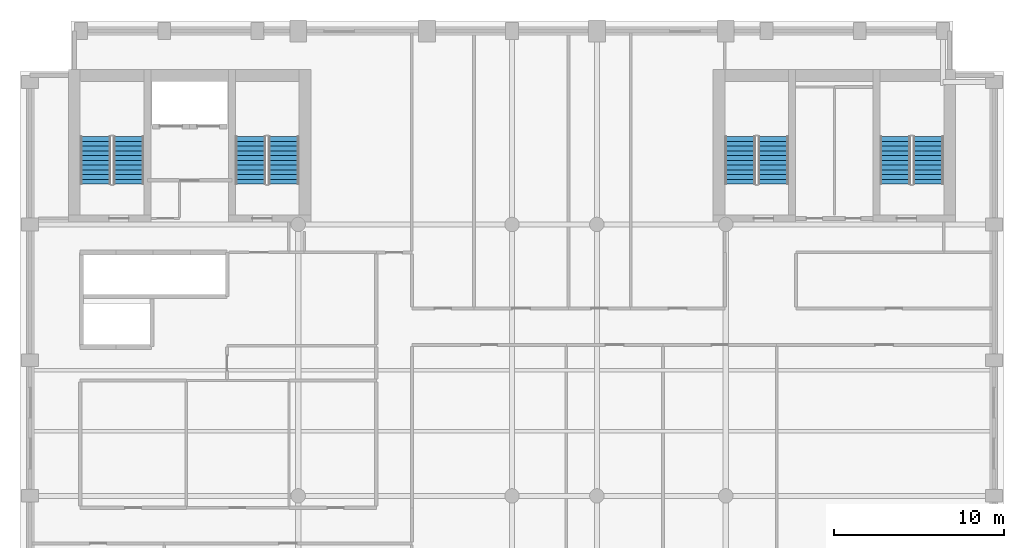
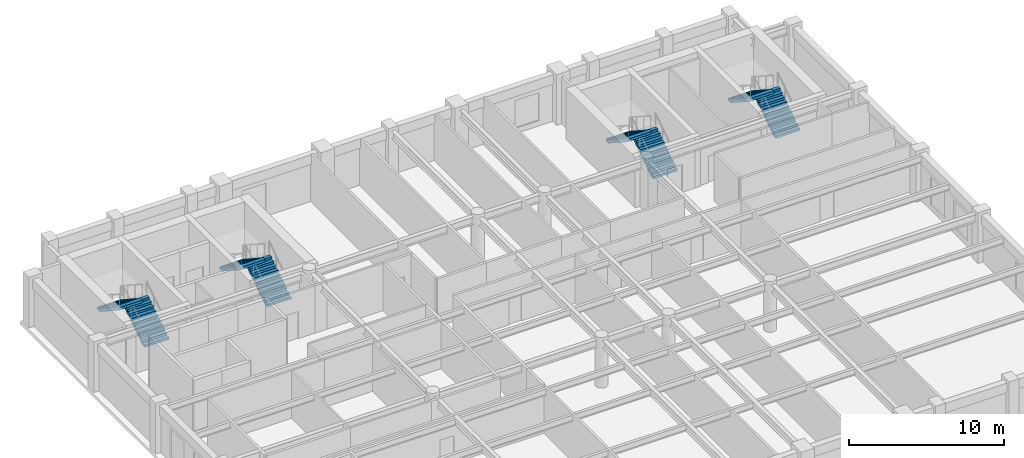
# One storey, part 6 of 8: 8 stair flights, 4 elements without a shape of their own.
"""IFC4 building model written with IfcOpenShell, lengths in metres."""

import ifcopenshell
import ifcopenshell.guid

model = None  # the IFC model being written
_history = None  # IfcOwnerHistory: only IFC2X3 demands one
_inside = {}  # id of a spatial element -> (the spatial element, [elements in it])
_under = {}  # id of a project, library or spatial element -> (it, [spatial elements below it])
_declared = {}  # id of a project -> (the project, [libraries it declares])
_typed = {}  # id of a type object -> (the type object, [elements of that type])
_made_of = {}  # id of a material, layer set ... -> (it, [elements and type objects made of it])


def new_model(schema):
    """Start an empty IFC model of exactly this schema.

    Asked for "IFC4X3", IfcOpenShell would pick the latest addendum, in which some entities
    have other attributes; the version numbers below select the first issue.
    IFC2X3 requires an IfcOwnerHistory on every rooted entity: one is made here for all.
    """
    global model, _history
    if schema == "IFC4X3":
        model = ifcopenshell.file(schema_version=(4, 3, 0, 0))
    else:
        model = ifcopenshell.file(schema=schema)
    _inside.clear()
    _under.clear()
    _declared.clear()
    _typed.clear()
    _made_of.clear()
    _history = None
    if model.schema == "IFC2X3":
        org = make("IfcOrganization", Name="unknown")
        user = make(
            "IfcPersonAndOrganization",
            ThePerson=make("IfcPerson", FamilyName="unknown"),
            TheOrganization=org,
        )
        app = make(
            "IfcApplication",
            ApplicationDeveloper=org,
            Version="unknown",
            ApplicationFullName="unknown",
            ApplicationIdentifier="unknown",
        )
        _history = make(
            "IfcOwnerHistory",
            OwningUser=user,
            OwningApplication=app,
            ChangeAction="ADDED",
            CreationDate=0,
        )
    return model


def make(cls, **values):
    """One entity of the class cls with the attributes given. An attribute that is None is left unset."""
    return model.create_entity(
        cls, **{name: value for name, value in values.items() if value is not None}
    )


def rooted(cls, **values):
    """An entity with a GlobalId (a new one), such as an element, a storey or a relation."""
    return make(cls, GlobalId=ifcopenshell.guid.new(), OwnerHistory=_history, **values)


def si_unit(unit_type, name, prefix=None):
    """IfcSIUnit, for example si_unit("LENGTHUNIT", "METRE", prefix="MILLI")."""
    return make("IfcSIUnit", UnitType=unit_type, Prefix=prefix, Name=name)


def assignment(units):
    """IfcUnitAssignment: the units of a project."""
    return None if units is None else make("IfcUnitAssignment", Units=units)


def point(xyz):
    """IfcCartesianPoint."""
    return None if xyz is None else make("IfcCartesianPoint", Coordinates=xyz)


def direction(xyz):
    """IfcDirection."""
    return None if xyz is None else make("IfcDirection", DirectionRatios=xyz)


def frame(location, z_axis=None, x_axis=None):
    """IfcAxis2Placement3D, a coordinate frame: its origin and axes. An axis left out is left unset."""
    return make(
        "IfcAxis2Placement3D",
        Location=point(location),
        Axis=direction(z_axis),
        RefDirection=direction(x_axis),
    )


def origin():
    """The frame at (0, 0, 0) with its axes left unset."""
    return frame((0.0, 0.0, 0.0))


def place(relative_to, where):
    """IfcLocalPlacement: puts the frame where relative to a parent placement (None: the world)."""
    return make(
        "IfcLocalPlacement", PlacementRelTo=relative_to, RelativePlacement=where
    )


def context(
    kind, dimensions, precision=None, world=None, true_north=None, identifier=None
):
    """IfcGeometricRepresentationContext, for example the 3D "Model" context."""
    return make(
        "IfcGeometricRepresentationContext",
        ContextIdentifier=identifier,
        ContextType=kind,
        CoordinateSpaceDimension=dimensions,
        Precision=precision,
        WorldCoordinateSystem=world,
        TrueNorth=true_north,
    )


def subcontext(parent, identifier, kind, view, scale=None):
    """IfcGeometricRepresentationSubContext, for example "Body" below "Model"."""
    return make(
        "IfcGeometricRepresentationSubContext",
        ContextIdentifier=identifier,
        ContextType=kind,
        ParentContext=parent,
        TargetScale=scale,
        TargetView=view,
    )


def project(units=None, contexts=None):
    """IfcProject with its units and contexts."""
    return rooted(
        "IfcProject",
        Name="project",
        RepresentationContexts=contexts,
        UnitsInContext=assignment(units),
    )


def spatial(cls, under=None, at=None, **own):
    """A site, building, storey or space (cls), placed at a placement, below another one or the project."""
    s = rooted(cls, ObjectPlacement=at, **own)
    if under is not None:
        _under.setdefault(under.id(), (under, []))[1].append(s)
    return s


def polyline(points):
    """IfcPolyline through the points."""
    return make("IfcPolyline", Points=[point(p) for p in points])


def outline(outer, holes=None, kind="AREA"):
    """IfcArbitraryClosedProfileDef: a profile drawn as a closed curve; with holes, ...WithVoids."""
    if holes is None:
        return make("IfcArbitraryClosedProfileDef", ProfileType=kind, OuterCurve=outer)
    return make(
        "IfcArbitraryProfileDefWithVoids",
        ProfileType=kind,
        OuterCurve=outer,
        InnerCurves=holes,
    )


def extrude(swept, where, along, depth):
    """IfcExtrudedAreaSolid: the profile swept, set in the frame where, extruded along a direction by depth."""
    return make(
        "IfcExtrudedAreaSolid",
        SweptArea=swept,
        Position=where,
        ExtrudedDirection=direction(along),
        Depth=depth,
    )


def shape(context_of_items, identifier, shape_type, items):
    """IfcShapeRepresentation: the items that make up one representation, for example the "Body"."""
    return make(
        "IfcShapeRepresentation",
        ContextOfItems=context_of_items,
        RepresentationIdentifier=identifier,
        RepresentationType=shape_type,
        Items=items,
    )


def material(Name=None, Category=None):
    """IfcMaterial."""
    return make("IfcMaterial", Name=Name, Category=Category)


def made_of(thing, what):
    """Note that an element or type object is made of a material, layer set ...; save() writes the relation."""
    if what is not None:
        _made_of.setdefault(what.id(), (what, []))[1].append(thing)
    return thing


def type_object(cls, material=None, **own):
    """A type object (cls), such as IfcWallType, which elements share."""
    return made_of(rooted(cls, **own), material)


def element(
    cls,
    number,
    at=None,
    inside=None,
    cuts=None,
    type_object=None,
    material=None,
    context=None,
    identifier="Body",
    shape_type=None,
    held_by="IfcProductDefinitionShape",
    body=None,
    shapes=None,
    **own,
):
    """One element of the class cls, such as IfcWall. Its Tag is "e" and its number.

    at: its placement. inside: the storey or other place that contains it. cuts: it is an
    opening in that element (IfcRelVoidsElement). A single representation is given by context,
    identifier, shape_type and body (its items); several are given by shapes. held_by: the class
    of the entity that holds the representations. save() writes the other relations.
    """
    e = rooted(cls, Tag="e%d" % number, ObjectPlacement=at, **own)
    if body is not None:
        shapes = [shape(context, identifier, shape_type, body)]
    if shapes is not None:
        e.Representation = make(held_by, Representations=shapes)
    if inside is not None:
        _inside.setdefault(inside.id(), (inside, []))[1].append(e)
    if cuts is not None:
        rooted(
            "IfcRelVoidsElement", RelatingBuildingElement=cuts, RelatedOpeningElement=e
        )
    if type_object is not None:
        _typed.setdefault(type_object.id(), (type_object, []))[1].append(e)
    return made_of(e, material)


def aggregate(whole, parts):
    """IfcRelAggregates: a whole, such as a stair, and the parts it consists of."""
    return rooted("IfcRelAggregates", RelatingObject=whole, RelatedObjects=parts)


def save(model, path):
    """Write the relations noted so far, then the file.

    IfcRelAggregates (storeys below a building ...), IfcRelContainedInSpatialStructure (elements
    in a storey), IfcRelDefinesByType, IfcRelAssociatesMaterial and IfcRelDeclares: one each for
    every whole, place, type object, material and project.
    """
    for whole, parts in _under.values():
        aggregate(whole, parts)
    for where, things in _inside.values():
        rooted(
            "IfcRelContainedInSpatialStructure",
            RelatedElements=things,
            RelatingStructure=where,
        )
    for kind, things in _typed.values():
        rooted("IfcRelDefinesByType", RelatedObjects=things, RelatingType=kind)
    for what, things in _made_of.values():
        rooted("IfcRelAssociatesMaterial", RelatedObjects=things, RelatingMaterial=what)
    for by, libraries in _declared.values():
        rooted("IfcRelDeclares", RelatingContext=by, RelatedDefinitions=libraries)
    model.write(path)


model = new_model("IFC4")

# Units and contexts
model_context = context("Model", 3, precision=1e-05, world=origin(), true_north=direction((0.0, 1.0)))
body_context = subcontext(model_context, "Body", "Model", "MODEL_VIEW")
ifc_project = project(units=[si_unit("LENGTHUNIT", "METRE"), si_unit("AREAUNIT", "SQUARE_METRE"), si_unit("VOLUMEUNIT", "CUBIC_METRE"), si_unit("PLANEANGLEUNIT", "RADIAN"), si_unit("MASSUNIT", "GRAM", prefix="KILO")], contexts=[model_context])

# Site, building, storey
site_placement = place(None, origin())
site = spatial("IfcSite", under=ifc_project, at=site_placement, CompositionType="ELEMENT")
building_placement = place(site_placement, origin())
building = spatial("IfcBuilding", under=site, at=building_placement, Name="Sulina Concourse Tower", CompositionType="ELEMENT")
storey_placement = place(building_placement, frame((0.0, 0.0, 230.60009765625)))
storey = spatial("IfcBuildingStorey", under=building, at=storey_placement, Name="L56", CompositionType="ELEMENT", Elevation=230.60009765625)

# Stair, stair flights
ifc_material_1 = material(Name="Concrete C50/60", Category="concrete")
stair_type_1 = type_object("IfcStairType", Name="Portal & Podium Core Exit Stair 1820mm", PredefinedType="HALF_TURN_STAIR", material=ifc_material_1)
stair_1_placement = place(storey_placement, origin())
stair_1 = element("IfcStair", 1, at=stair_1_placement, inside=storey, type_object=stair_type_1, Name="L56 ST-3", PredefinedType="HALF_TURN_STAIR")
ifc_material_2 = material(Name="Concrete C50/60", Category="concrete")
stair_flight_type_1 = type_object("IfcStairFlightType", Name="Portal & Podium Core Exit Stair 1820mm Flight", PredefinedType="STRAIGHT", material=ifc_material_2)
stair_flight_1_placement = place(storey_placement, frame((44.405029296875, 36.375, 0.0), z_axis=(0.0, 0.0, 1.0), x_axis=(0.0, 1.0, 0.0)))
stair_flight_1 = element("IfcStairFlight", 2, at=stair_flight_1_placement, type_object=stair_flight_type_1, Name="ST-3 flight 1", NumberOfRisers=11, NumberOfTreads=10, PredefinedType="STRAIGHT", RiserHeight=0.181818182, TreadLength=0.28, context=body_context, shape_type="SweptSolid", body=[
    extrude(outline(polyline([(0.0, 0.0), (0.0, 0.181884765625), (0.280029296875, 0.181884765625), (0.280029296875, 0.363525390625), (0.56005859375, 0.363525390625), (0.56005859375, 0.54541015625), (0.840087890625, 0.54541015625), (0.840087890625, 0.727294921875), (1.1201171875, 0.727294921875), (1.1201171875, 0.9091796875), (1.39990234375, 0.9091796875), (1.39990234375, 1.0908203125), (1.679931640625, 1.0908203125), (1.679931640625, 1.272705078125), (1.9599609375, 1.272705078125), (1.9599609375, 1.45458984375), (2.239990234375, 1.45458984375), (2.239990234375, 1.636474609375), (2.52001953125, 1.636474609375), (2.52001953125, 1.818115234375), (2.800048828125, 1.818115234375), (2.800048828125, 2.0), (2.800048828125, 1.603759765625), (0.330322265625, 0.0), (0.0, 0.0)])), frame((0.0, 0.89990234375, 0.0), z_axis=(0.0, -1.0, 0.0), x_axis=(1.0, 0.0, 0.0)), (0.0, 0.0, 1.0), 1.800048828125),
])
stair_flight_2_placement = place(storey_placement, frame((42.455078125, 39.175048828125, 2.0), z_axis=(0.0, 0.0, 1.0), x_axis=(0.0, -1.0, 0.0)))
stair_flight_2 = element("IfcStairFlight", 3, at=stair_flight_2_placement, type_object=stair_flight_type_1, Name="ST-3 flight 2", NumberOfRisers=11, NumberOfTreads=10, PredefinedType="STRAIGHT", RiserHeight=0.181818182, TreadLength=0.28, context=body_context, shape_type="SweptSolid", body=[
    extrude(outline(polyline([(0.0, 0.0), (0.0, 0.181884765625), (0.280029296875, 0.181884765625), (0.280029296875, 0.363525390625), (0.56005859375, 0.363525390625), (0.56005859375, 0.54541015625), (0.840087890625, 0.54541015625), (0.840087890625, 0.727294921875), (1.1201171875, 0.727294921875), (1.1201171875, 0.9091796875), (1.39990234375, 0.9091796875), (1.39990234375, 1.0908203125), (1.679931640625, 1.0908203125), (1.679931640625, 1.272705078125), (1.9599609375, 1.272705078125), (1.9599609375, 1.45458984375), (2.239990234375, 1.45458984375), (2.239990234375, 1.636474609375), (2.52001953125, 1.636474609375), (2.52001953125, 1.818115234375), (2.800048828125, 1.818115234375), (2.800048828125, 2.0), (2.800048828125, 1.603759765625), (0.330322265625, 0.0), (0.0, 0.0)])), frame((0.0, 0.89990234375, 0.0), z_axis=(0.0, -1.0, 0.0), x_axis=(1.0, 0.0, 0.0)), (0.0, 0.0, 1.0), 1.800048828125),
])
aggregate(stair_1, [stair_flight_1, stair_flight_2])

stair_2_placement = place(storey_placement, origin())
stair_2 = element("IfcStair", 4, at=stair_2_placement, inside=storey, type_object=stair_type_1, Name="L56 ST-4", PredefinedType="HALF_TURN_STAIR")
stair_flight_3_placement = place(storey_placement, frame((53.544921875, 36.375, 0.0), z_axis=(0.0, 0.0, 1.0), x_axis=(0.0, 1.0, 0.0)))
stair_flight_3 = element("IfcStairFlight", 5, at=stair_flight_3_placement, type_object=stair_flight_type_1, Name="ST-4 flight 1", NumberOfRisers=11, NumberOfTreads=10, PredefinedType="STRAIGHT", RiserHeight=0.181818182, TreadLength=0.28, context=body_context, shape_type="SweptSolid", body=[
    extrude(outline(polyline([(0.0, 0.0), (0.0, 0.181884765625), (0.280029296875, 0.181884765625), (0.280029296875, 0.363525390625), (0.56005859375, 0.363525390625), (0.56005859375, 0.54541015625), (0.840087890625, 0.54541015625), (0.840087890625, 0.727294921875), (1.1201171875, 0.727294921875), (1.1201171875, 0.9091796875), (1.39990234375, 0.9091796875), (1.39990234375, 1.0908203125), (1.679931640625, 1.0908203125), (1.679931640625, 1.272705078125), (1.9599609375, 1.272705078125), (1.9599609375, 1.45458984375), (2.239990234375, 1.45458984375), (2.239990234375, 1.636474609375), (2.52001953125, 1.636474609375), (2.52001953125, 1.818115234375), (2.800048828125, 1.818115234375), (2.800048828125, 2.0), (2.800048828125, 1.603759765625), (0.330322265625, 0.0), (0.0, 0.0)])), frame((0.0, 0.89990234375, 0.0), z_axis=(0.0, -1.0, 0.0), x_axis=(1.0, 0.0, 0.0)), (0.0, 0.0, 1.0), 1.800048828125),
])
stair_flight_4_placement = place(storey_placement, frame((51.594970703125, 39.175048828125, 2.0), z_axis=(0.0, 0.0, 1.0), x_axis=(0.0, -1.0, 0.0)))
stair_flight_4 = element("IfcStairFlight", 6, at=stair_flight_4_placement, type_object=stair_flight_type_1, Name="ST-4 flight 2", NumberOfRisers=11, NumberOfTreads=10, PredefinedType="STRAIGHT", RiserHeight=0.181818182, TreadLength=0.28, context=body_context, shape_type="SweptSolid", body=[
    extrude(outline(polyline([(0.0, 0.0), (0.0, 0.181884765625), (0.280029296875, 0.181884765625), (0.280029296875, 0.363525390625), (0.56005859375, 0.363525390625), (0.56005859375, 0.54541015625), (0.840087890625, 0.54541015625), (0.840087890625, 0.727294921875), (1.1201171875, 0.727294921875), (1.1201171875, 0.9091796875), (1.39990234375, 0.9091796875), (1.39990234375, 1.0908203125), (1.679931640625, 1.0908203125), (1.679931640625, 1.272705078125), (1.9599609375, 1.272705078125), (1.9599609375, 1.45458984375), (2.239990234375, 1.45458984375), (2.239990234375, 1.636474609375), (2.52001953125, 1.636474609375), (2.52001953125, 1.818115234375), (2.800048828125, 1.818115234375), (2.800048828125, 2.0), (2.800048828125, 1.603759765625), (0.330322265625, 0.0), (0.0, 0.0)])), frame((0.0, 0.89990234375, 0.0), z_axis=(0.0, -1.0, 0.0), x_axis=(1.0, 0.0, 0.0)), (0.0, 0.0, 1.0), 1.800048828125),
])
aggregate(stair_2, [stair_flight_3, stair_flight_4])

ifc_material_3 = material(Name="Concrete C50/60", Category="concrete")
stair_type_2 = type_object("IfcStairType", Name="Primary Core Dog-Leg Exit Stair 1800mm", PredefinedType="HALF_TURN_STAIR", material=ifc_material_3)
stair_3_placement = place(storey_placement, origin())
stair_3 = element("IfcStair", 7, at=stair_3_placement, inside=storey, type_object=stair_type_2, Name="L56 ST-1", PredefinedType="HALF_TURN_STAIR")
ifc_material_4 = material(Name="Concrete C50/60", Category="concrete")
stair_flight_type_2 = type_object("IfcStairFlightType", Name="Primary Core Dog-Leg Exit Stair 1800mm Flight", PredefinedType="STRAIGHT", material=ifc_material_4)
stair_flight_5_placement = place(storey_placement, frame((6.405029296875, 36.375, 0.0), z_axis=(0.0, 0.0, 1.0), x_axis=(0.0, 1.0, 0.0)))
stair_flight_5 = element("IfcStairFlight", 8, at=stair_flight_5_placement, type_object=stair_flight_type_2, Name="ST-1 flight 1", NumberOfRisers=11, NumberOfTreads=10, PredefinedType="STRAIGHT", RiserHeight=0.181818182, TreadLength=0.28, context=body_context, shape_type="SweptSolid", body=[
    extrude(outline(polyline([(0.0, 0.0), (0.0, 0.181884765625), (0.280029296875, 0.181884765625), (0.280029296875, 0.363525390625), (0.56005859375, 0.363525390625), (0.56005859375, 0.54541015625), (0.840087890625, 0.54541015625), (0.840087890625, 0.727294921875), (1.1201171875, 0.727294921875), (1.1201171875, 0.9091796875), (1.39990234375, 0.9091796875), (1.39990234375, 1.0908203125), (1.679931640625, 1.0908203125), (1.679931640625, 1.272705078125), (1.9599609375, 1.272705078125), (1.9599609375, 1.45458984375), (2.239990234375, 1.45458984375), (2.239990234375, 1.636474609375), (2.52001953125, 1.636474609375), (2.52001953125, 1.818115234375), (2.800048828125, 1.818115234375), (2.800048828125, 2.0), (2.800048828125, 1.603759765625), (0.330322265625, 0.0), (0.0, 0.0)])), frame((0.0, 0.89990234375, 0.0), z_axis=(0.0, -1.0, 0.0), x_axis=(1.0, 0.0, 0.0)), (0.0, 0.0, 1.0), 1.800048828125),
])
stair_flight_6_placement = place(storey_placement, frame((4.455078125, 39.175048828125, 2.0), z_axis=(0.0, 0.0, 1.0), x_axis=(0.0, -1.0, 0.0)))
stair_flight_6 = element("IfcStairFlight", 9, at=stair_flight_6_placement, type_object=stair_flight_type_2, Name="ST-1 flight 2", NumberOfRisers=11, NumberOfTreads=10, PredefinedType="STRAIGHT", RiserHeight=0.181818182, TreadLength=0.28, context=body_context, shape_type="SweptSolid", body=[
    extrude(outline(polyline([(0.0, 0.0), (0.0, 0.181884765625), (0.280029296875, 0.181884765625), (0.280029296875, 0.363525390625), (0.56005859375, 0.363525390625), (0.56005859375, 0.54541015625), (0.840087890625, 0.54541015625), (0.840087890625, 0.727294921875), (1.1201171875, 0.727294921875), (1.1201171875, 0.9091796875), (1.39990234375, 0.9091796875), (1.39990234375, 1.0908203125), (1.679931640625, 1.0908203125), (1.679931640625, 1.272705078125), (1.9599609375, 1.272705078125), (1.9599609375, 1.45458984375), (2.239990234375, 1.45458984375), (2.239990234375, 1.636474609375), (2.52001953125, 1.636474609375), (2.52001953125, 1.818115234375), (2.800048828125, 1.818115234375), (2.800048828125, 2.0), (2.800048828125, 1.603759765625), (0.330322265625, 0.0), (0.0, 0.0)])), frame((0.0, 0.89990234375, 0.0), z_axis=(0.0, -1.0, 0.0), x_axis=(1.0, 0.0, 0.0)), (0.0, 0.0, 1.0), 1.800048828125),
])
aggregate(stair_3, [stair_flight_5, stair_flight_6])

stair_4_placement = place(storey_placement, origin())
stair_4 = element("IfcStair", 10, at=stair_4_placement, inside=storey, type_object=stair_type_2, Name="L56 ST-2", PredefinedType="HALF_TURN_STAIR")
stair_flight_7_placement = place(storey_placement, frame((15.544921875, 36.375, 0.0), z_axis=(0.0, 0.0, 1.0), x_axis=(0.0, 1.0, 0.0)))
stair_flight_7 = element("IfcStairFlight", 11, at=stair_flight_7_placement, type_object=stair_flight_type_2, Name="ST-2 flight 1", NumberOfRisers=11, NumberOfTreads=10, PredefinedType="STRAIGHT", RiserHeight=0.181818182, TreadLength=0.28, context=body_context, shape_type="SweptSolid", body=[
    extrude(outline(polyline([(0.0, 0.0), (0.0, 0.181884765625), (0.280029296875, 0.181884765625), (0.280029296875, 0.363525390625), (0.56005859375, 0.363525390625), (0.56005859375, 0.54541015625), (0.840087890625, 0.54541015625), (0.840087890625, 0.727294921875), (1.1201171875, 0.727294921875), (1.1201171875, 0.9091796875), (1.39990234375, 0.9091796875), (1.39990234375, 1.0908203125), (1.679931640625, 1.0908203125), (1.679931640625, 1.272705078125), (1.9599609375, 1.272705078125), (1.9599609375, 1.45458984375), (2.239990234375, 1.45458984375), (2.239990234375, 1.636474609375), (2.52001953125, 1.636474609375), (2.52001953125, 1.818115234375), (2.800048828125, 1.818115234375), (2.800048828125, 2.0), (2.800048828125, 1.603759765625), (0.330322265625, 0.0), (0.0, 0.0)])), frame((0.0, 0.89990234375, 0.0), z_axis=(0.0, -1.0, 0.0), x_axis=(1.0, 0.0, 0.0)), (0.0, 0.0, 1.0), 1.800048828125),
])
stair_flight_8_placement = place(storey_placement, frame((13.594970703125, 39.175048828125, 2.0), z_axis=(0.0, 0.0, 1.0), x_axis=(0.0, -1.0, 0.0)))
stair_flight_8 = element("IfcStairFlight", 12, at=stair_flight_8_placement, type_object=stair_flight_type_2, Name="ST-2 flight 2", NumberOfRisers=11, NumberOfTreads=10, PredefinedType="STRAIGHT", RiserHeight=0.181818182, TreadLength=0.28, context=body_context, shape_type="SweptSolid", body=[
    extrude(outline(polyline([(0.0, 0.0), (0.0, 0.181884765625), (0.280029296875, 0.181884765625), (0.280029296875, 0.363525390625), (0.56005859375, 0.363525390625), (0.56005859375, 0.54541015625), (0.840087890625, 0.54541015625), (0.840087890625, 0.727294921875), (1.1201171875, 0.727294921875), (1.1201171875, 0.9091796875), (1.39990234375, 0.9091796875), (1.39990234375, 1.0908203125), (1.679931640625, 1.0908203125), (1.679931640625, 1.272705078125), (1.9599609375, 1.272705078125), (1.9599609375, 1.45458984375), (2.239990234375, 1.45458984375), (2.239990234375, 1.636474609375), (2.52001953125, 1.636474609375), (2.52001953125, 1.818115234375), (2.800048828125, 1.818115234375), (2.800048828125, 2.0), (2.800048828125, 1.603759765625), (0.330322265625, 0.0), (0.0, 0.0)])), frame((0.0, 0.89990234375, 0.0), z_axis=(0.0, -1.0, 0.0), x_axis=(1.0, 0.0, 0.0)), (0.0, 0.0, 1.0), 1.800048828125),
])
aggregate(stair_4, [stair_flight_7, stair_flight_8])

save(model, "model.ifc")
